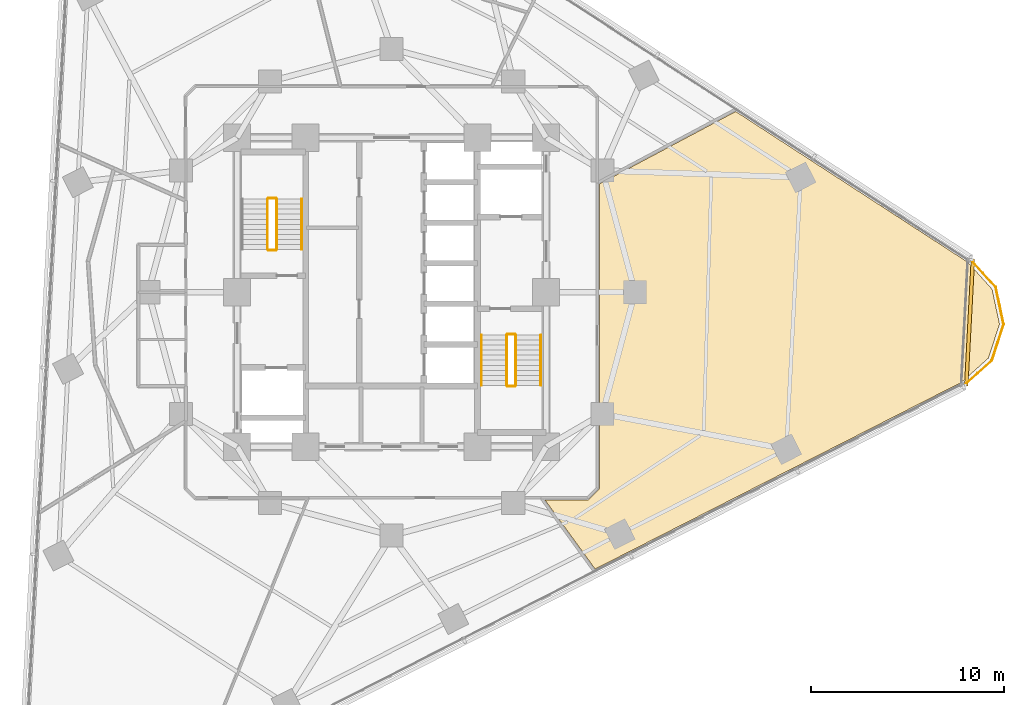
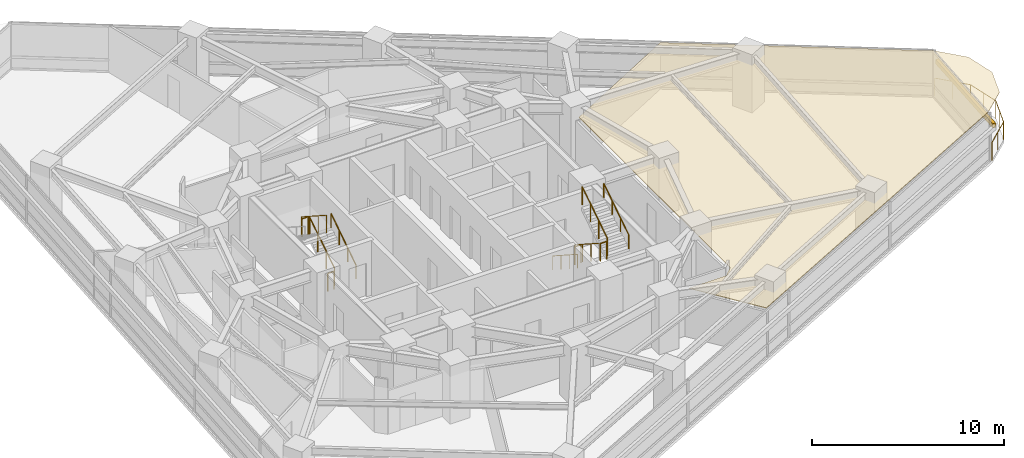
# One storey, part 13 of 14: 12 railings, 1 covering, 1 shading device.
"""IFC4 building model written with IfcOpenShell, lengths in metres."""

import ifcopenshell
import ifcopenshell.guid

model = None  # the IFC model being written
_history = None  # IfcOwnerHistory: only IFC2X3 demands one
_inside = {}  # id of a spatial element -> (the spatial element, [elements in it])
_under = {}  # id of a project, library or spatial element -> (it, [spatial elements below it])
_declared = {}  # id of a project -> (the project, [libraries it declares])
_typed = {}  # id of a type object -> (the type object, [elements of that type])
_made_of = {}  # id of a material, layer set ... -> (it, [elements and type objects made of it])


def new_model(schema):
    """Start an empty IFC model of exactly this schema.

    Asked for "IFC4X3", IfcOpenShell would pick the latest addendum, in which some entities
    have other attributes; the version numbers below select the first issue.
    IFC2X3 requires an IfcOwnerHistory on every rooted entity: one is made here for all.
    """
    global model, _history
    if schema == "IFC4X3":
        model = ifcopenshell.file(schema_version=(4, 3, 0, 0))
    else:
        model = ifcopenshell.file(schema=schema)
    _inside.clear()
    _under.clear()
    _declared.clear()
    _typed.clear()
    _made_of.clear()
    _history = None
    if model.schema == "IFC2X3":
        org = make("IfcOrganization", Name="unknown")
        user = make(
            "IfcPersonAndOrganization",
            ThePerson=make("IfcPerson", FamilyName="unknown"),
            TheOrganization=org,
        )
        app = make(
            "IfcApplication",
            ApplicationDeveloper=org,
            Version="unknown",
            ApplicationFullName="unknown",
            ApplicationIdentifier="unknown",
        )
        _history = make(
            "IfcOwnerHistory",
            OwningUser=user,
            OwningApplication=app,
            ChangeAction="ADDED",
            CreationDate=0,
        )
    return model


def make(cls, **values):
    """One entity of the class cls with the attributes given. An attribute that is None is left unset."""
    return model.create_entity(
        cls, **{name: value for name, value in values.items() if value is not None}
    )


def rooted(cls, **values):
    """An entity with a GlobalId (a new one), such as an element, a storey or a relation."""
    return make(cls, GlobalId=ifcopenshell.guid.new(), OwnerHistory=_history, **values)


def si_unit(unit_type, name, prefix=None):
    """IfcSIUnit, for example si_unit("LENGTHUNIT", "METRE", prefix="MILLI")."""
    return make("IfcSIUnit", UnitType=unit_type, Prefix=prefix, Name=name)


def assignment(units):
    """IfcUnitAssignment: the units of a project."""
    return None if units is None else make("IfcUnitAssignment", Units=units)


def point(xyz):
    """IfcCartesianPoint."""
    return None if xyz is None else make("IfcCartesianPoint", Coordinates=xyz)


def direction(xyz):
    """IfcDirection."""
    return None if xyz is None else make("IfcDirection", DirectionRatios=xyz)


def frame(location, z_axis=None, x_axis=None):
    """IfcAxis2Placement3D, a coordinate frame: its origin and axes. An axis left out is left unset."""
    return make(
        "IfcAxis2Placement3D",
        Location=point(location),
        Axis=direction(z_axis),
        RefDirection=direction(x_axis),
    )


def frame_2d(location, x_axis=None):
    """IfcAxis2Placement2D, a coordinate frame in the plane: its origin and x axis."""
    return make(
        "IfcAxis2Placement2D", Location=point(location), RefDirection=direction(x_axis)
    )


def origin():
    """The frame at (0, 0, 0) with its axes left unset."""
    return frame((0.0, 0.0, 0.0))


def origin_2d():
    """The frame at (0, 0) in the plane with its x axis left unset."""
    return frame_2d((0.0, 0.0))


def place(relative_to, where):
    """IfcLocalPlacement: puts the frame where relative to a parent placement (None: the world)."""
    return make(
        "IfcLocalPlacement", PlacementRelTo=relative_to, RelativePlacement=where
    )


def context(
    kind, dimensions, precision=None, world=None, true_north=None, identifier=None
):
    """IfcGeometricRepresentationContext, for example the 3D "Model" context."""
    return make(
        "IfcGeometricRepresentationContext",
        ContextIdentifier=identifier,
        ContextType=kind,
        CoordinateSpaceDimension=dimensions,
        Precision=precision,
        WorldCoordinateSystem=world,
        TrueNorth=true_north,
    )


def subcontext(parent, identifier, kind, view, scale=None):
    """IfcGeometricRepresentationSubContext, for example "Body" below "Model"."""
    return make(
        "IfcGeometricRepresentationSubContext",
        ContextIdentifier=identifier,
        ContextType=kind,
        ParentContext=parent,
        TargetScale=scale,
        TargetView=view,
    )


def project(units=None, contexts=None):
    """IfcProject with its units and contexts."""
    return rooted(
        "IfcProject",
        Name="project",
        RepresentationContexts=contexts,
        UnitsInContext=assignment(units),
    )


def spatial(cls, under=None, at=None, **own):
    """A site, building, storey or space (cls), placed at a placement, below another one or the project."""
    s = rooted(cls, ObjectPlacement=at, **own)
    if under is not None:
        _under.setdefault(under.id(), (under, []))[1].append(s)
    return s


def polyline(points):
    """IfcPolyline through the points."""
    return make("IfcPolyline", Points=[point(p) for p in points])


def profile(cls, at=None, kind="AREA", **sizes):
    """A parametric profile (cls). Its sizes go by their IFC names, for example OverallWidth=200.0."""
    return make(cls, ProfileType=kind, Position=at, **sizes)


def rectangle(**sizes):
    """IfcRectangleProfileDef."""
    return profile("IfcRectangleProfileDef", **sizes)


def circle(**sizes):
    """IfcCircleProfileDef."""
    return profile("IfcCircleProfileDef", **sizes)


def outline(outer, holes=None, kind="AREA"):
    """IfcArbitraryClosedProfileDef: a profile drawn as a closed curve; with holes, ...WithVoids."""
    if holes is None:
        return make("IfcArbitraryClosedProfileDef", ProfileType=kind, OuterCurve=outer)
    return make(
        "IfcArbitraryProfileDefWithVoids",
        ProfileType=kind,
        OuterCurve=outer,
        InnerCurves=holes,
    )


def extrude(swept, where, along, depth):
    """IfcExtrudedAreaSolid: the profile swept, set in the frame where, extruded along a direction by depth."""
    return make(
        "IfcExtrudedAreaSolid",
        SweptArea=swept,
        Position=where,
        ExtrudedDirection=direction(along),
        Depth=depth,
    )


def shape(context_of_items, identifier, shape_type, items):
    """IfcShapeRepresentation: the items that make up one representation, for example the "Body"."""
    return make(
        "IfcShapeRepresentation",
        ContextOfItems=context_of_items,
        RepresentationIdentifier=identifier,
        RepresentationType=shape_type,
        Items=items,
    )


def material(Name=None, Category=None):
    """IfcMaterial."""
    return make("IfcMaterial", Name=Name, Category=Category)


def layer(
    of_material, thickness, ventilated=None, Name=None, Category=None, Priority=None
):
    """IfcMaterialLayer: one layer of a wall or slab, of a material (None: an air gap)."""
    return make(
        "IfcMaterialLayer",
        Material=of_material,
        LayerThickness=thickness,
        IsVentilated=ventilated,
        Name=Name,
        Category=Category,
        Priority=Priority,
    )


def layer_set(layers, Name=None):
    """IfcMaterialLayerSet."""
    return make("IfcMaterialLayerSet", MaterialLayers=layers, LayerSetName=Name)


def made_of(thing, what):
    """Note that an element or type object is made of a material, layer set ...; save() writes the relation."""
    if what is not None:
        _made_of.setdefault(what.id(), (what, []))[1].append(thing)
    return thing


def type_object(cls, material=None, **own):
    """A type object (cls), such as IfcWallType, which elements share."""
    return made_of(rooted(cls, **own), material)


def element(
    cls,
    number,
    at=None,
    inside=None,
    cuts=None,
    type_object=None,
    material=None,
    context=None,
    identifier="Body",
    shape_type=None,
    held_by="IfcProductDefinitionShape",
    body=None,
    shapes=None,
    **own,
):
    """One element of the class cls, such as IfcWall. Its Tag is "e" and its number.

    at: its placement. inside: the storey or other place that contains it. cuts: it is an
    opening in that element (IfcRelVoidsElement). A single representation is given by context,
    identifier, shape_type and body (its items); several are given by shapes. held_by: the class
    of the entity that holds the representations. save() writes the other relations.
    """
    e = rooted(cls, Tag="e%d" % number, ObjectPlacement=at, **own)
    if body is not None:
        shapes = [shape(context, identifier, shape_type, body)]
    if shapes is not None:
        e.Representation = make(held_by, Representations=shapes)
    if inside is not None:
        _inside.setdefault(inside.id(), (inside, []))[1].append(e)
    if cuts is not None:
        rooted(
            "IfcRelVoidsElement", RelatingBuildingElement=cuts, RelatedOpeningElement=e
        )
    if type_object is not None:
        _typed.setdefault(type_object.id(), (type_object, []))[1].append(e)
    return made_of(e, material)


def aggregate(whole, parts):
    """IfcRelAggregates: a whole, such as a stair, and the parts it consists of."""
    return rooted("IfcRelAggregates", RelatingObject=whole, RelatedObjects=parts)


def save(model, path):
    """Write the relations noted so far, then the file.

    IfcRelAggregates (storeys below a building ...), IfcRelContainedInSpatialStructure (elements
    in a storey), IfcRelDefinesByType, IfcRelAssociatesMaterial and IfcRelDeclares: one each for
    every whole, place, type object, material and project.
    """
    for whole, parts in _under.values():
        aggregate(whole, parts)
    for where, things in _inside.values():
        rooted(
            "IfcRelContainedInSpatialStructure",
            RelatedElements=things,
            RelatingStructure=where,
        )
    for kind, things in _typed.values():
        rooted("IfcRelDefinesByType", RelatedObjects=things, RelatingType=kind)
    for what, things in _made_of.values():
        rooted("IfcRelAssociatesMaterial", RelatedObjects=things, RelatingMaterial=what)
    for by, libraries in _declared.values():
        rooted("IfcRelDeclares", RelatingContext=by, RelatedDefinitions=libraries)
    model.write(path)


model = new_model("IFC4")

# Units and contexts
model_context = context("Model", 3, precision=1e-05, world=origin(), true_north=direction((0.0, 1.0)))
body_context = subcontext(model_context, "Body", "Model", "MODEL_VIEW")
ifc_project = project(units=[si_unit("LENGTHUNIT", "METRE"), si_unit("AREAUNIT", "SQUARE_METRE"), si_unit("VOLUMEUNIT", "CUBIC_METRE"), si_unit("PLANEANGLEUNIT", "RADIAN"), si_unit("MASSUNIT", "GRAM", prefix="KILO")], contexts=[model_context])

# Site, building, storey
site_placement = place(None, origin())
site = spatial("IfcSite", under=ifc_project, at=site_placement, CompositionType="ELEMENT")
building_placement = place(site_placement, origin())
building = spatial("IfcBuilding", under=site, at=building_placement, Name="Terralouvre Media Tower", CompositionType="ELEMENT")
storey_placement = place(building_placement, frame((0.0, 0.0, 134.699951171875)))
storey = spatial("IfcBuildingStorey", under=building, at=storey_placement, Name="L34", CompositionType="ELEMENT", Elevation=134.699951171875)

# Covering
ifc_material_1 = material(Name="Perforated aluminium acoustic ceiling baffle", Category="aluminium")
ifc_layer_1 = layer(ifc_material_1, 0.0400390625, Name="Perforated Acoustic Metal Tile Ceiling CL-AC1")
ifc_layer_set_1 = layer_set([ifc_layer_1], Name="Perforated aluminium acoustic ceiling baffle")
covering_type = type_object("IfcCoveringType", Name="Perforated Acoustic Metal Tile Ceiling CL-AC1", PredefinedType="CEILING", material=ifc_layer_set_1)
covering_placement = place(storey_placement, frame((0.0, 0.0, 2.97998046875), z_axis=(0.0, 0.0, 1.0), x_axis=(0.891006524188, 0.45399049974, 0.0)))
element("IfcCovering", 1, at=covering_placement, inside=storey, type_object=covering_type, Name="L34 Book Review Reading Study 5 Acoustic Ceiling", PredefinedType="CEILING", context=body_context, shape_type="SweptSolid", body=[
    extrude(outline(polyline([(4.97021484375, -13.924072265625), (4.96533203125, -13.9326171875), (4.959716796875, -13.940673828125), (4.953369140625, -13.947998046875), (4.946044921875, -13.954833984375), (4.9384765625, -13.960693359375), (4.929931640625, -13.966064453125), (4.92138671875, -13.97021484375), (4.912109375, -13.973876953125), (4.239501953125, -14.1923828125), (4.230224609375, -14.19482421875), (4.220458984375, -14.196533203125), (4.210693359375, -14.197265625), (4.200927734375, -14.197021484375), (4.191162109375, -14.195556640625), (4.181640625, -14.193603515625), (4.17236328125, -14.1904296875), (4.163330078125, -14.186279296875), (2.18896484375, -13.180419921875), (2.881103515625, -17.55224609375), (24.1708984375, -17.55224609375), (25.986083984375, -17.06494140625), (27.29345703125, -15.758056640625), (27.7724609375, -13.972412109375), (27.28515625, -12.156982421875), (20.1220703125, 0.251220703125), (12.1220703125, 0.11181640625), (4.97021484375, -13.924072265625)])), origin(), (0.0, 0.0, 1.0), 0.0400390625),
])

# Railings
ifc_material_2 = material(Name="Stainless steel 316 handrail and balustrade", Category="steel")
ifc_layer_2 = layer(ifc_material_2, 0.06005859375, Name="Roof Edge Safety Guardrail GR-ROOF1")
ifc_layer_set_2 = layer_set([ifc_layer_2], Name="Stainless steel 316 handrail and balustrade")
railing_type_1 = type_object("IfcRailingType", Name="Roof Edge Safety Guardrail GR-ROOF1", PredefinedType="GUARDRAIL", material=ifc_layer_set_2)
railing_1_placement = place(storey_placement, frame((29.61572265625, -4.845947265625, 0.0)))
element("IfcRailing", 2, at=railing_1_placement, inside=storey, type_object=railing_type_1, Name="L34 Wind-Corner Perimeter Safety Guardrail C1", PredefinedType="GUARDRAIL", context=body_context, shape_type="SweptSolid", body=[
    extrude(circle(Radius=0.02099609375, at=origin_2d()), frame((0.0, 0.0, 1.12890625), z_axis=(0.743312666239, 0.668944153281, 0.0), x_axis=(-0.668944153281, 0.743312666239, 0.0)), (0.0, 0.0, 1.0), 1.96630859375),
    extrude(circle(Radius=0.02099609375, at=origin_2d()), frame((1.461669921875, 1.3154296875, 1.12890625), z_axis=(0.309178723202, 0.95100395221, 0.0), x_axis=(-0.95100395221, 0.309178723202, 0.0)), (0.0, 0.0, 1.0), 1.96630859375),
    extrude(circle(Radius=0.02099609375, at=origin_2d()), frame((2.069580078125, 3.185302734375, 1.12890625), z_axis=(-0.207968640809, 0.978135493907, 0.0), x_axis=(-0.978135493907, -0.207968640809, 0.0)), (0.0, 0.0, 1.0), 1.96630859375),
    extrude(circle(Radius=0.02099609375, at=origin_2d()), frame((1.66064453125, 5.108642578125, 1.12890625), z_axis=(-0.669335064293, 0.742960679786, 0.0), x_axis=(-0.742960679786, -0.669335064293, 0.0)), (0.0, 0.0, 1.0), 1.96630859375),
    extrude(circle(Radius=0.01904296875, at=origin_2d()), origin(), (0.0, 0.0, 1.0), 1.10791015625),
    extrude(circle(Radius=0.01904296875, at=origin_2d()), frame((0.73095703125, 0.65771484375, 0.0)), (0.0, 0.0, 1.0), 1.10791015625),
    extrude(circle(Radius=0.01904296875, at=origin_2d()), frame((1.461669921875, 1.3154296875, 0.0)), (0.0, 0.0, 1.0), 1.10791015625),
    extrude(circle(Radius=0.01904296875, at=origin_2d()), frame((1.765625, 2.25048828125, 0.0)), (0.0, 0.0, 1.0), 1.10791015625),
    extrude(circle(Radius=0.01904296875, at=origin_2d()), frame((2.069580078125, 3.185302734375, 0.0)), (0.0, 0.0, 1.0), 1.10791015625),
    extrude(circle(Radius=0.01904296875, at=origin_2d()), frame((1.865234375, 4.14697265625, 0.0)), (0.0, 0.0, 1.0), 1.10791015625),
    extrude(circle(Radius=0.01904296875, at=origin_2d()), frame((1.66064453125, 5.108642578125, 0.0)), (0.0, 0.0, 1.0), 1.10791015625),
    extrude(circle(Radius=0.01904296875, at=origin_2d()), frame((1.00244140625, 5.839111328125, 0.0)), (0.0, 0.0, 1.0), 1.10791015625),
    extrude(circle(Radius=0.01904296875, at=origin_2d()), frame((0.344482421875, 6.569580078125, 0.0)), (0.0, 0.0, 1.0), 1.10791015625),
])
ifc_material_3 = material(Name="Stainless steel 316 handrail and balustrade", Category="steel")
ifc_layer_3 = layer(ifc_material_3, 0.050048828125, Name="Stair Flight Wall Handrail HR-INT1")
ifc_layer_set_3 = layer_set([ifc_layer_3], Name="Stainless steel 316 handrail and balustrade")
railing_type_2 = type_object("IfcRailingType", Name="Stair Flight Wall Handrail HR-INT1", PredefinedType="HANDRAIL", material=ifc_layer_set_3)
railing_2_placement = place(storey_placement, frame((-4.64990234375, 2.219970703125, 0.168212890625)))
element("IfcRailing", 3, at=railing_2_placement, inside=storey, type_object=railing_type_2, Name="L34 ST-01 stair handrail 1", PredefinedType="HANDRAIL", context=body_context, shape_type="SweptSolid", body=[
    extrude(circle(Radius=0.02392578125, at=origin_2d()), frame((0.0, 0.0, 0.8759765625), z_axis=(0.0, 0.839648411786, 0.543130320075), x_axis=(-1.0, 0.0, 0.0)), (0.0, 0.0, 1.0), 3.0966796875),
    extrude(circle(Radius=0.02099609375, at=origin_2d()), origin(), (0.0, 0.0, 1.0), 0.851806640625),
    extrude(circle(Radius=0.02099609375, at=origin_2d()), frame((0.0, 0.86669921875, 0.560546875)), (0.0, 0.0, 1.0), 0.851806640625),
    extrude(circle(Radius=0.02099609375, at=origin_2d()), frame((0.0, 1.7333984375, 1.121337890625)), (0.0, 0.0, 1.0), 0.851806640625),
    extrude(circle(Radius=0.02099609375, at=origin_2d()), frame((0.0, 2.60009765625, 1.681884765625)), (0.0, 0.0, 1.0), 0.851806640625),
])
railing_3_placement = place(storey_placement, frame((4.64990234375, -2.219970703125, 0.168212890625)))
element("IfcRailing", 4, at=railing_3_placement, inside=storey, type_object=railing_type_2, Name="L34 ST-02 stair handrail 1", PredefinedType="HANDRAIL", context=body_context, shape_type="SweptSolid", body=[
    extrude(circle(Radius=0.02392578125, at=origin_2d()), frame((0.0, 0.0, 0.8759765625), z_axis=(0.0, -0.839648411786, 0.543130320075), x_axis=(1.0, 0.0, 0.0)), (0.0, 0.0, 1.0), 3.0966796875),
    extrude(circle(Radius=0.02099609375, at=origin_2d()), origin(), (0.0, 0.0, 1.0), 0.851806640625),
    extrude(circle(Radius=0.02099609375, at=origin_2d()), frame((0.0, -0.86669921875, 0.560546875)), (0.0, 0.0, 1.0), 0.851806640625),
    extrude(circle(Radius=0.02099609375, at=origin_2d()), frame((0.0, -1.7333984375, 1.121337890625)), (0.0, 0.0, 1.0), 0.851806640625),
    extrude(circle(Radius=0.02099609375, at=origin_2d()), frame((0.0, -2.60009765625, 1.681884765625)), (0.0, 0.0, 1.0), 0.851806640625),
])
railing_4_placement = place(storey_placement, frame((7.72998046875, -4.820068359375, 2.018310546875)))
element("IfcRailing", 5, at=railing_4_placement, inside=storey, type_object=railing_type_2, Name="L34 ST-02 stair handrail 2", PredefinedType="HANDRAIL", context=body_context, shape_type="SweptSolid", body=[
    extrude(circle(Radius=0.02392578125, at=origin_2d()), frame((0.0, 0.0, 0.8759765625), z_axis=(0.0, 0.839684365666, 0.543074733399), x_axis=(-1.0, 0.0, 0.0)), (0.0, 0.0, 1.0), 3.096435546875),
    extrude(circle(Radius=0.02099609375, at=origin_2d()), origin(), (0.0, 0.0, 1.0), 0.851806640625),
    extrude(circle(Radius=0.02099609375, at=origin_2d()), frame((0.0, 0.86669921875, 0.560546875)), (0.0, 0.0, 1.0), 0.851806640625),
    extrude(circle(Radius=0.02099609375, at=origin_2d()), frame((0.0, 1.7333984375, 1.12109375)), (0.0, 0.0, 1.0), 0.851806640625),
    extrude(circle(Radius=0.02099609375, at=origin_2d()), frame((0.0, 2.60009765625, 1.681640625)), (0.0, 0.0, 1.0), 0.851806640625),
])
ifc_material_4 = material(Name="Stainless steel 316 handrail and balustrade", Category="steel")
ifc_layer_4 = layer(ifc_material_4, 0.050048828125, Name="Stairwell Safety Guardrail GR-INT1")
ifc_layer_set_4 = layer_set([ifc_layer_4], Name="Stainless steel 316 handrail and balustrade")
railing_type_3 = type_object("IfcRailingType", Name="Stairwell Safety Guardrail GR-INT1", PredefinedType="GUARDRAIL", material=ifc_layer_set_4)
railing_5_placement = place(storey_placement, frame((-5.949951171875, 2.219970703125, 0.168212890625)))
element("IfcRailing", 6, at=railing_5_placement, inside=storey, type_object=railing_type_3, Name="L34 ST-01 stair guard 1", PredefinedType="GUARDRAIL", context=body_context, shape_type="SweptSolid", body=[
    extrude(circle(Radius=0.02392578125, at=origin_2d()), frame((0.0, 0.0, 1.1259765625), z_axis=(0.0, 0.839648411786, 0.543130320075), x_axis=(-1.0, 0.0, 0.0)), (0.0, 0.0, 1.0), 3.0966796875),
    extrude(circle(Radius=0.02099609375, at=origin_2d()), origin(), (0.0, 0.0, 1.0), 1.101806640625),
    extrude(circle(Radius=0.02099609375, at=origin_2d()), frame((0.0, 0.86669921875, 0.560546875)), (0.0, 0.0, 1.0), 1.101806640625),
    extrude(circle(Radius=0.02099609375, at=origin_2d()), frame((0.0, 1.7333984375, 1.121337890625)), (0.0, 0.0, 1.0), 1.101806640625),
    extrude(circle(Radius=0.02099609375, at=origin_2d()), frame((0.0, 2.60009765625, 1.681884765625)), (0.0, 0.0, 1.0), 1.101806640625),
])
railing_6_placement = place(storey_placement, frame((-6.0, 4.8701171875, 1.85009765625)))
element("IfcRailing", 7, at=railing_6_placement, inside=storey, type_object=railing_type_3, Name="L34 ST-01 stair guard 2", PredefinedType="GUARDRAIL", context=body_context, shape_type="SweptSolid", body=[
    extrude(circle(Radius=0.02392578125, at=origin_2d()), frame((0.0, 0.0, 1.1259765625), z_axis=(-1.0, 0.0, 0.0), x_axis=(0.0, -1.0, 0.0)), (0.0, 0.0, 1.0), 0.3798828125),
    extrude(circle(Radius=0.02099609375, at=origin_2d()), origin(), (0.0, 0.0, 1.0), 1.101806640625),
    extrude(circle(Radius=0.02099609375, at=origin_2d()), frame((-0.3798828125, 0.0, 0.0)), (0.0, 0.0, 1.0), 1.101806640625),
])
railing_7_placement = place(storey_placement, frame((-6.429931640625, 4.820068359375, 2.018310546875)))
element("IfcRailing", 8, at=railing_7_placement, inside=storey, type_object=railing_type_3, Name="L34 ST-01 stair guard 3", PredefinedType="GUARDRAIL", context=body_context, shape_type="SweptSolid", body=[
    extrude(circle(Radius=0.02392578125, at=origin_2d()), frame((0.0, 0.0, 1.1259765625), z_axis=(0.0, -0.839684365666, 0.543074733399), x_axis=(1.0, 0.0, 0.0)), (0.0, 0.0, 1.0), 3.096435546875),
    extrude(circle(Radius=0.02099609375, at=origin_2d()), origin(), (0.0, 0.0, 1.0), 1.101806640625),
    extrude(circle(Radius=0.02099609375, at=origin_2d()), frame((0.0, -0.86669921875, 0.560546875)), (0.0, 0.0, 1.0), 1.101806640625),
    extrude(circle(Radius=0.02099609375, at=origin_2d()), frame((0.0, -1.7333984375, 1.12109375)), (0.0, 0.0, 1.0), 1.101806640625),
    extrude(circle(Radius=0.02099609375, at=origin_2d()), frame((0.0, -2.60009765625, 1.681640625)), (0.0, 0.0, 1.0), 1.101806640625),
])
railing_8_placement = place(storey_placement, frame((-6.0, 2.169921875, 0.0)))
element("IfcRailing", 9, at=railing_8_placement, inside=storey, type_object=railing_type_3, Name="L34 ST-01 stair guard 4", PredefinedType="GUARDRAIL", context=body_context, shape_type="SweptSolid", body=[
    extrude(circle(Radius=0.02392578125, at=origin_2d()), frame((0.0, 0.0, 1.1259765625), z_axis=(-1.0, 0.0, 0.0), x_axis=(0.0, -1.0, 0.0)), (0.0, 0.0, 1.0), 0.3798828125),
    extrude(circle(Radius=0.02099609375, at=origin_2d()), origin(), (0.0, 0.0, 1.0), 1.101806640625),
    extrude(circle(Radius=0.02099609375, at=origin_2d()), frame((-0.3798828125, 0.0, 0.0)), (0.0, 0.0, 1.0), 1.101806640625),
])
railing_9_placement = place(storey_placement, frame((5.949951171875, -2.219970703125, 0.168212890625)))
element("IfcRailing", 10, at=railing_9_placement, inside=storey, type_object=railing_type_3, Name="L34 ST-02 stair guard 1", PredefinedType="GUARDRAIL", context=body_context, shape_type="SweptSolid", body=[
    extrude(circle(Radius=0.02392578125, at=origin_2d()), frame((0.0, 0.0, 1.1259765625), z_axis=(0.0, -0.839648411786, 0.543130320075), x_axis=(1.0, 0.0, 0.0)), (0.0, 0.0, 1.0), 3.0966796875),
    extrude(circle(Radius=0.02099609375, at=origin_2d()), origin(), (0.0, 0.0, 1.0), 1.101806640625),
    extrude(circle(Radius=0.02099609375, at=origin_2d()), frame((0.0, -0.86669921875, 0.560546875)), (0.0, 0.0, 1.0), 1.101806640625),
    extrude(circle(Radius=0.02099609375, at=origin_2d()), frame((0.0, -1.7333984375, 1.121337890625)), (0.0, 0.0, 1.0), 1.101806640625),
    extrude(circle(Radius=0.02099609375, at=origin_2d()), frame((0.0, -2.60009765625, 1.681884765625)), (0.0, 0.0, 1.0), 1.101806640625),
])
railing_10_placement = place(storey_placement, frame((6.0, -4.8701171875, 1.85009765625)))
element("IfcRailing", 11, at=railing_10_placement, inside=storey, type_object=railing_type_3, Name="L34 ST-02 stair guard 2", PredefinedType="GUARDRAIL", context=body_context, shape_type="SweptSolid", body=[
    extrude(circle(Radius=0.02392578125, at=origin_2d()), frame((0.0, 0.0, 1.1259765625), z_axis=(1.0, 0.0, 0.0), x_axis=(0.0, 1.0, 0.0)), (0.0, 0.0, 1.0), 0.3798828125),
    extrude(circle(Radius=0.02099609375, at=origin_2d()), origin(), (0.0, 0.0, 1.0), 1.101806640625),
    extrude(circle(Radius=0.02099609375, at=origin_2d()), frame((0.3798828125, 0.0, 0.0)), (0.0, 0.0, 1.0), 1.101806640625),
])
railing_11_placement = place(storey_placement, frame((6.429931640625, -4.820068359375, 2.018310546875)))
element("IfcRailing", 12, at=railing_11_placement, inside=storey, type_object=railing_type_3, Name="L34 ST-02 stair guard 3", PredefinedType="GUARDRAIL", context=body_context, shape_type="SweptSolid", body=[
    extrude(circle(Radius=0.02392578125, at=origin_2d()), frame((0.0, 0.0, 1.1259765625), z_axis=(0.0, 0.839684365666, 0.543074733399), x_axis=(-1.0, 0.0, 0.0)), (0.0, 0.0, 1.0), 3.096435546875),
    extrude(circle(Radius=0.02099609375, at=origin_2d()), origin(), (0.0, 0.0, 1.0), 1.101806640625),
    extrude(circle(Radius=0.02099609375, at=origin_2d()), frame((0.0, 0.86669921875, 0.560546875)), (0.0, 0.0, 1.0), 1.101806640625),
    extrude(circle(Radius=0.02099609375, at=origin_2d()), frame((0.0, 1.7333984375, 1.12109375)), (0.0, 0.0, 1.0), 1.101806640625),
    extrude(circle(Radius=0.02099609375, at=origin_2d()), frame((0.0, 2.60009765625, 1.681640625)), (0.0, 0.0, 1.0), 1.101806640625),
])
railing_12_placement = place(storey_placement, frame((6.0, -2.169921875, 0.0)))
element("IfcRailing", 13, at=railing_12_placement, inside=storey, type_object=railing_type_3, Name="L34 ST-02 stair guard 4", PredefinedType="GUARDRAIL", context=body_context, shape_type="SweptSolid", body=[
    extrude(circle(Radius=0.02392578125, at=origin_2d()), frame((0.0, 0.0, 1.1259765625), z_axis=(1.0, 0.0, 0.0), x_axis=(0.0, 1.0, 0.0)), (0.0, 0.0, 1.0), 0.3798828125),
    extrude(circle(Radius=0.02099609375, at=origin_2d()), origin(), (0.0, 0.0, 1.0), 1.101806640625),
    extrude(circle(Radius=0.02099609375, at=origin_2d()), frame((0.3798828125, 0.0, 0.0)), (0.0, 0.0, 1.0), 1.101806640625),
])

# Shading device
ifc_material_5 = material(Name="Extruded terracotta baguette sunshade louvres", Category="masonry")
shading_device_type = type_object("IfcShadingDeviceType", Name="Terracotta Baguette Sunshade Louvre Screen TB-LV1", PredefinedType="USERDEFINED", material=ifc_material_5)
shading_device_placement = place(storey_placement, frame((29.922607421875, -1.568115234375, 2.02392578125), z_axis=(0.0, 0.0, 1.0), x_axis=(0.052336823006, 0.998629489329, 0.0)))
element("IfcShadingDevice", 14, at=shading_device_placement, inside=storey, type_object=shading_device_type, Name="CW-L34-C1 Terracotta Baguette Sunshade Louvre", ObjectType="BAGUETTE", PredefinedType="USERDEFINED", context=body_context, shape_type="SweptSolid", body=[
    extrude(rectangle(XDim=6.581787109375, YDim=0.179931640625, at=origin_2d()), origin(), (0.0, 0.0, 1.0), 0.280029296875),
])

save(model, "model.ifc")
